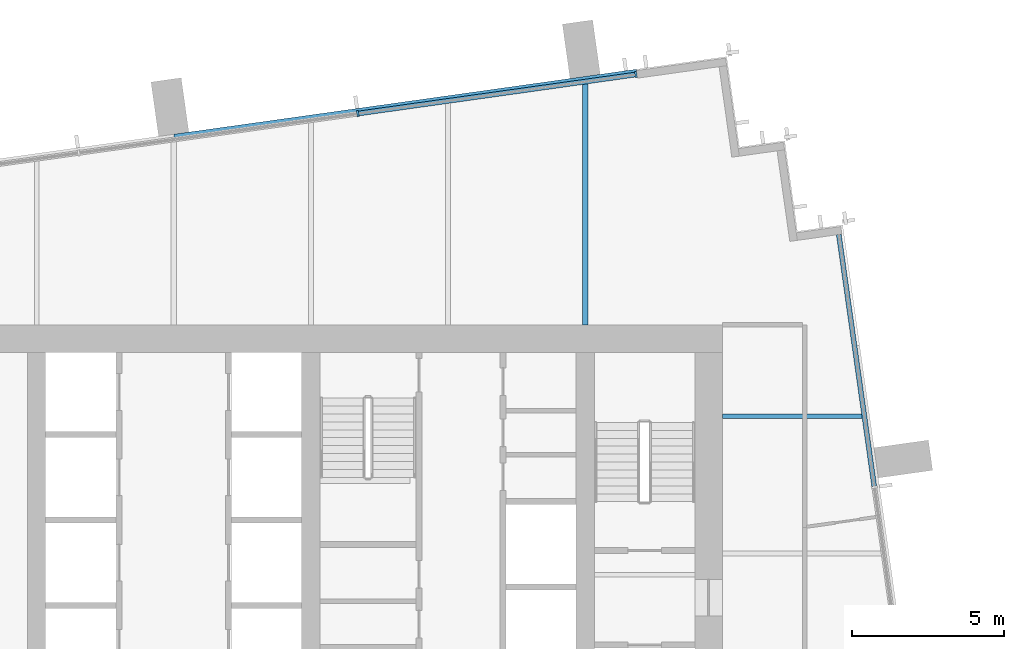
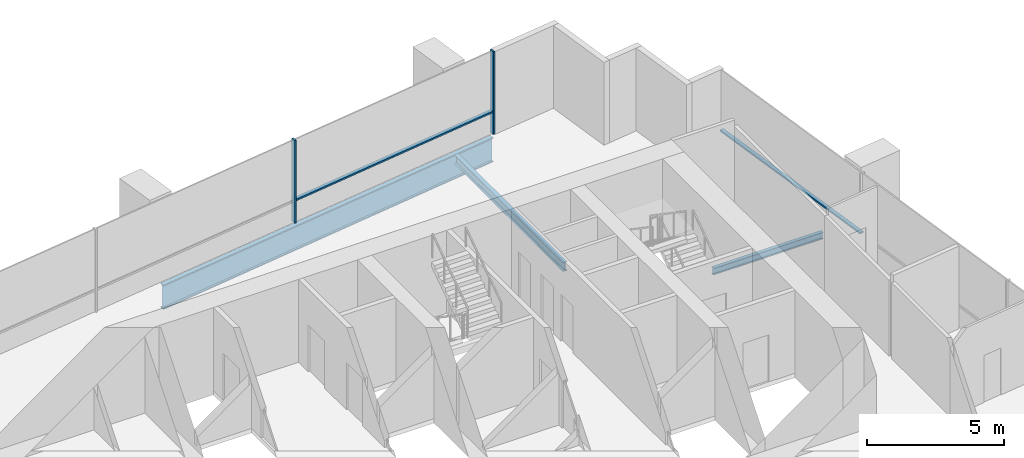
# One storey, part 6 of 12: 4 members, 3 beams, 2 elements without a shape of their own.
"""IFC4 building model written with IfcOpenShell, lengths in metres."""

from ifc_helpers import new_model, si_unit, direction, frame, origin, origin_2d, place, context, subcontext, project, spatial, rectangle, i_section, extrude, material, layer, layer_set, material_profile, profile_set, type_object, element, aggregate, save


model = new_model("IFC4")

# Units and contexts
model_context = context("Model", 3, precision=1e-05, world=origin(), true_north=direction((0.0, 1.0)))
body_context = subcontext(model_context, "Body", "Model", "MODEL_VIEW")
ifc_project = project(units=[si_unit("LENGTHUNIT", "METRE"), si_unit("AREAUNIT", "SQUARE_METRE"), si_unit("VOLUMEUNIT", "CUBIC_METRE"), si_unit("PLANEANGLEUNIT", "RADIAN"), si_unit("MASSUNIT", "GRAM", prefix="KILO")], contexts=[model_context])

# Site, building, storey
site_placement = place(None, origin())
site = spatial("IfcSite", under=ifc_project, at=site_placement, CompositionType="ELEMENT")
building_placement = place(site_placement, origin())
building = spatial("IfcBuilding", under=site, at=building_placement, Name="Rattan Terrace Tower", CompositionType="ELEMENT")
storey_placement = place(building_placement, frame((0.0, 0.0, 270.699951171875)))
storey = spatial("IfcBuildingStorey", under=building, at=storey_placement, Name="L62", CompositionType="ELEMENT", Elevation=270.699951171875)

# Beams
ifc_material_1 = material(Name="Steel S460", Category="steel")
ifc_material_profile_1 = material_profile(ifc_material_1, i_section(OverallWidth=0.179931640625, OverallDepth=1.10009765625, WebThickness=0.01611328125, FlangeThickness=0.050048828125, at=origin_2d()), Name="PG 1100x180-16-50")
ifc_profile_set_1 = profile_set([ifc_material_profile_1], Name="Steel S460")
beam_type_1 = type_object("IfcBeamType", Name="Frame edge girder PG 1100x180-16-50", PredefinedType="SPANDREL", material=ifc_profile_set_1)
beam_1_placement = place(storey_placement, frame((15.18896484375, 15.801025390625, -0.75), z_axis=(-0.99026622182, -0.139186241857, 0.0), x_axis=(0.139186241857, -0.99026622182, 0.0)))
element("IfcBeam", 1, at=beam_1_placement, inside=storey, type_object=beam_type_1, Name="gdr-L62-006", PredefinedType="SPANDREL", context=body_context, shape_type="SweptSolid", body=[
    extrude(i_section(OverallWidth=0.179931640625, OverallDepth=1.10009765625, WebThickness=0.01611328125, FlangeThickness=0.050048828125, at=origin_2d()), origin(), (0.0, 0.0, 1.0), 15.3251953125),
])
ifc_material_2 = material(Name="Steel S355", Category="steel")
ifc_material_profile_2 = material_profile(ifc_material_2, i_section(OverallWidth=0.14990234375, OverallDepth=0.300048828125, WebThickness=0.007080078125, FlangeThickness=0.0107421875, FilletRadius=0.014892578125, at=origin_2d()), Name="IPE 300")
ifc_profile_set_2 = profile_set([ifc_material_profile_2], Name="Steel S355")
beam_type_2 = type_object("IfcBeamType", Name="Frame floor beam IPE 300", PredefinedType="JOIST", material=ifc_profile_set_2)
beam_2_placement = place(storey_placement, frame((18.0, 4.5, -0.349853515625), z_axis=(1.0, 0.0, 0.0), x_axis=(0.0, 1.0, 0.0)))
element("IfcBeam", 2, at=beam_2_placement, inside=storey, type_object=beam_type_2, Name="bm-L62-014", PredefinedType="JOIST", context=body_context, shape_type="SweptSolid", body=[
    extrude(i_section(OverallWidth=0.14990234375, OverallDepth=0.300048828125, WebThickness=0.007080078125, FlangeThickness=0.0107421875, FilletRadius=0.014892578125, at=origin_2d()), origin(), (0.0, 0.0, 1.0), 4.64404296875),
])
ifc_material_3 = material(Name="Steel S355", Category="steel")
ifc_material_profile_3 = material_profile(ifc_material_3, i_section(OverallWidth=0.179931640625, OverallDepth=0.39990234375, WebThickness=0.008544921875, FlangeThickness=0.013427734375, FilletRadius=0.02099609375, at=origin_2d()), Name="IPE 400")
ifc_profile_set_3 = profile_set([ifc_material_profile_3], Name="Steel S355")
beam_type_3 = type_object("IfcBeamType", Name="Frame floor beam IPE 400", PredefinedType="JOIST", material=ifc_profile_set_3)
beam_3_placement = place(storey_placement, frame((13.5, 7.5, -0.39990234375), z_axis=(0.0, 1.0, 0.0), x_axis=(-1.0, 0.0, 0.0)))
element("IfcBeam", 3, at=beam_3_placement, inside=storey, type_object=beam_type_3, Name="bm-L62-021", PredefinedType="JOIST", context=body_context, shape_type="SweptSolid", body=[
    extrude(i_section(OverallWidth=0.179931640625, OverallDepth=0.39990234375, WebThickness=0.008544921875, FlangeThickness=0.013427734375, FilletRadius=0.02099609375, at=origin_2d()), origin(), (0.0, 0.0, 1.0), 7.9599609375),
])

# Curtain wall, members
ifc_material_4 = material(Name="Aluminium and laminated glass", Category="aluminium")
ifc_layer = layer(ifc_material_4, 0.199951171875)
ifc_layer_set = layer_set([ifc_layer], Name="High-Zone Unitised Curtain Wall")
curtain_wall_type = type_object("IfcCurtainWallType", Name="High-Zone Unitised Curtain Wall", PredefinedType="NOTDEFINED", material=ifc_layer_set)
curtain_wall_1_placement = place(storey_placement, origin())
curtain_wall_1 = element("IfcCurtainWall", 4, at=curtain_wall_1_placement, inside=storey, type_object=curtain_wall_type, Name="High-zone curtain wall L62-2", PredefinedType="NOTDEFINED")
ifc_material_5 = material(Name="Aluminium", Category="aluminium")
ifc_material_profile_4 = material_profile(ifc_material_5, rectangle(XDim=0.070068359375, YDim=0.199951171875, at=origin_2d()), Name="Aluminium 70x200")
ifc_profile_set_4 = profile_set([ifc_material_profile_4], Name="Aluminium")
member_type_1 = type_object("IfcMemberType", Name="High-Zone CW Mullion 70x200", PredefinedType="MULLION", material=ifc_profile_set_4)
member_1_placement = place(storey_placement, frame((15.1650390625, 15.716796875, 0.0), z_axis=(0.0, 0.0, 1.0), x_axis=(-0.990265894013, -0.139188574079, 0.0)))
member_1 = element("IfcMember", 5, at=member_1_placement, type_object=member_type_1, Name="Mullion cwl-L62-002.1", PredefinedType="MULLION", context=body_context, shape_type="SweptSolid", body=[
    extrude(rectangle(XDim=0.070068359375, YDim=0.199951171875, at=origin_2d()), origin(), (0.0, 0.0, 1.0), 3.699951171875),
])
member_2_placement = place(storey_placement, frame((6.040771484375, 14.434326171875, 0.0), z_axis=(0.0, 0.0, 1.0), x_axis=(-0.990265894013, -0.139188574079, 0.0)))
member_2 = element("IfcMember", 6, at=member_2_placement, type_object=member_type_1, Name="Mullion cwl-L62-002.2", PredefinedType="MULLION", context=body_context, shape_type="SweptSolid", body=[
    extrude(rectangle(XDim=0.070068359375, YDim=0.199951171875, at=origin_2d()), origin(), (0.0, 0.0, 1.0), 3.699951171875),
])

# Curtain wall, member
curtain_wall_2_placement = place(storey_placement, origin())
curtain_wall_2 = element("IfcCurtainWall", 7, at=curtain_wall_2_placement, inside=storey, type_object=curtain_wall_type, Name="High-zone curtain wall L62-1", PredefinedType="NOTDEFINED")
ifc_material_6 = material(Name="Aluminium", Category="aluminium")
ifc_material_profile_5 = material_profile(ifc_material_6, rectangle(XDim=0.159912109375, YDim=0.070068359375, at=origin_2d()), Name="Aluminium 160x70")
ifc_profile_set_5 = profile_set([ifc_material_profile_5], Name="Aluminium")
member_type_2 = type_object("IfcMemberType", Name="High-Zone CW Transom 160x70", PredefinedType="USERDEFINED", material=ifc_profile_set_5)
member_3_placement = place(storey_placement, frame((22.985107421875, 2.212158203125, 1.0), z_axis=(-0.139198740199, 0.990264465043, 0.0), x_axis=(-0.990264465043, -0.139198740199, 0.0)))
member_3 = element("IfcMember", 8, at=member_3_placement, type_object=member_type_2, Name="Transom cwl-L62-001.3", ObjectType="TRANSOM", PredefinedType="USERDEFINED", context=body_context, shape_type="SweptSolid", body=[
    extrude(rectangle(XDim=0.159912109375, YDim=0.070068359375, at=origin_2d()), origin(), (0.0, 0.0, 1.0), 8.336181640625),
])
aggregate(curtain_wall_2, [member_3])

# Member
member_4_placement = place(storey_placement, frame((15.13037109375, 15.7119140625, 1.0), z_axis=(-0.990266298783, -0.139185694291, 0.0), x_axis=(0.139185694291, -0.990266298783, 0.0)))
member_4 = element("IfcMember", 9, at=member_4_placement, type_object=member_type_2, Name="Transom cwl-L62-002.1", ObjectType="TRANSOM", PredefinedType="USERDEFINED", context=body_context, shape_type="SweptSolid", body=[
    extrude(rectangle(XDim=0.159912109375, YDim=0.070068359375, at=origin_2d()), origin(), (0.0, 0.0, 1.0), 9.14404296875),
])

aggregate(curtain_wall_1, [member_1, member_2, member_4])

save(model, "model.ifc")
